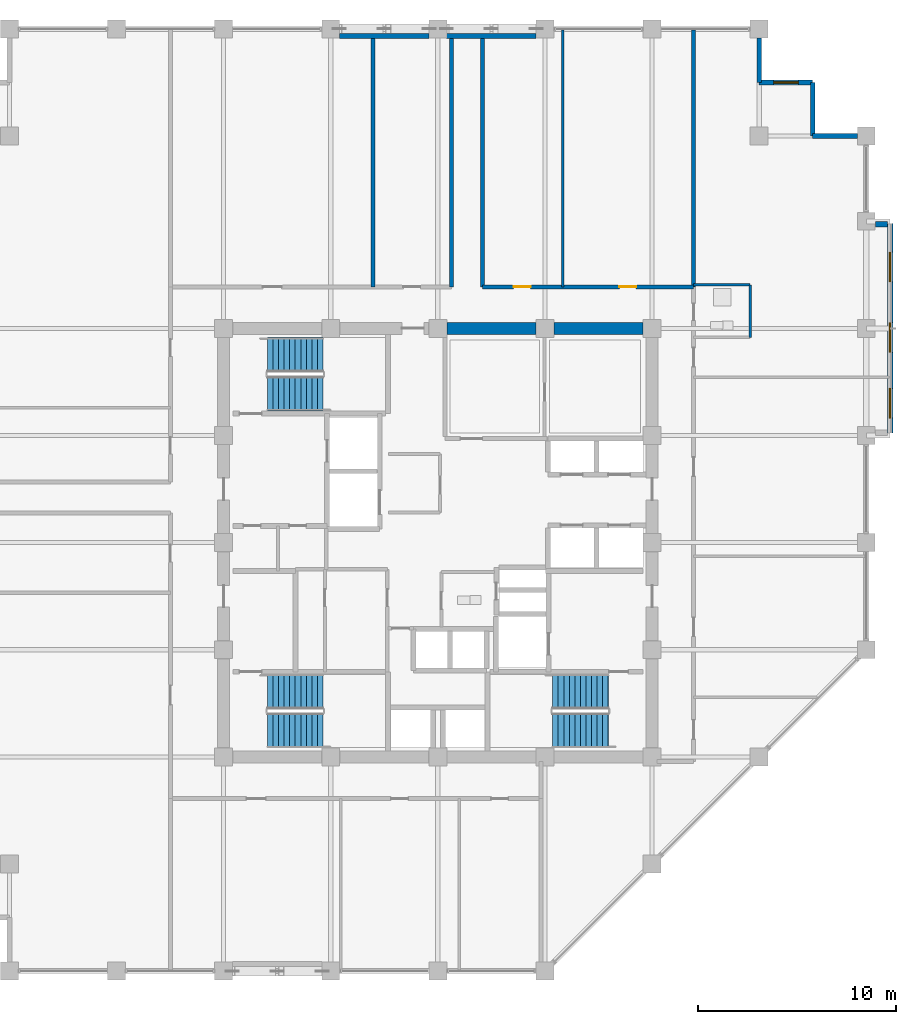
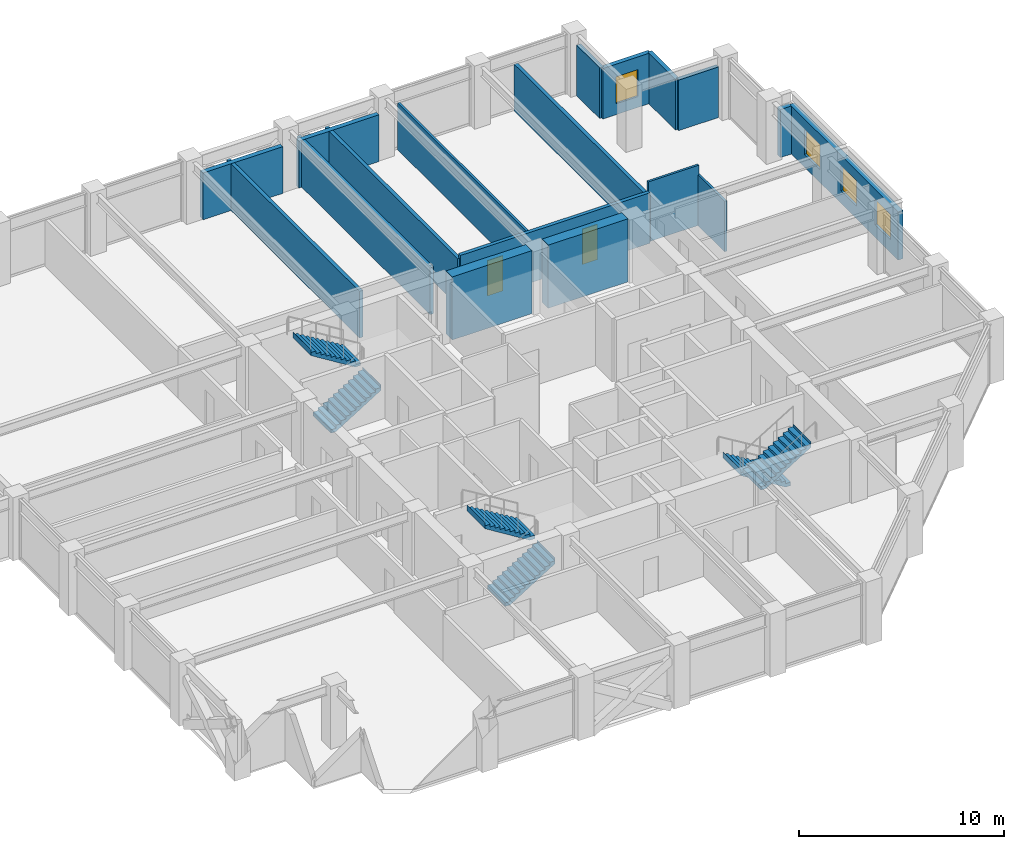
# One storey, part 29 of 32: 18 walls, 6 stair flights, 4 windows, 2 doors, 6 openings, 3 elements without a shape of their own.
"""IFC4 building model written with IfcOpenShell, lengths in metres."""

import ifcopenshell
import ifcopenshell.guid

model = None  # the IFC model being written
_history = None  # IfcOwnerHistory: only IFC2X3 demands one
_inside = {}  # id of a spatial element -> (the spatial element, [elements in it])
_under = {}  # id of a project, library or spatial element -> (it, [spatial elements below it])
_declared = {}  # id of a project -> (the project, [libraries it declares])
_typed = {}  # id of a type object -> (the type object, [elements of that type])
_made_of = {}  # id of a material, layer set ... -> (it, [elements and type objects made of it])


def new_model(schema):
    """Start an empty IFC model of exactly this schema.

    Asked for "IFC4X3", IfcOpenShell would pick the latest addendum, in which some entities
    have other attributes; the version numbers below select the first issue.
    IFC2X3 requires an IfcOwnerHistory on every rooted entity: one is made here for all.
    """
    global model, _history
    if schema == "IFC4X3":
        model = ifcopenshell.file(schema_version=(4, 3, 0, 0))
    else:
        model = ifcopenshell.file(schema=schema)
    _inside.clear()
    _under.clear()
    _declared.clear()
    _typed.clear()
    _made_of.clear()
    _history = None
    if model.schema == "IFC2X3":
        org = make("IfcOrganization", Name="unknown")
        user = make(
            "IfcPersonAndOrganization",
            ThePerson=make("IfcPerson", FamilyName="unknown"),
            TheOrganization=org,
        )
        app = make(
            "IfcApplication",
            ApplicationDeveloper=org,
            Version="unknown",
            ApplicationFullName="unknown",
            ApplicationIdentifier="unknown",
        )
        _history = make(
            "IfcOwnerHistory",
            OwningUser=user,
            OwningApplication=app,
            ChangeAction="ADDED",
            CreationDate=0,
        )
    return model


def make(cls, **values):
    """One entity of the class cls with the attributes given. An attribute that is None is left unset."""
    return model.create_entity(
        cls, **{name: value for name, value in values.items() if value is not None}
    )


def rooted(cls, **values):
    """An entity with a GlobalId (a new one), such as an element, a storey or a relation."""
    return make(cls, GlobalId=ifcopenshell.guid.new(), OwnerHistory=_history, **values)


def si_unit(unit_type, name, prefix=None):
    """IfcSIUnit, for example si_unit("LENGTHUNIT", "METRE", prefix="MILLI")."""
    return make("IfcSIUnit", UnitType=unit_type, Prefix=prefix, Name=name)


def assignment(units):
    """IfcUnitAssignment: the units of a project."""
    return None if units is None else make("IfcUnitAssignment", Units=units)


def point(xyz):
    """IfcCartesianPoint."""
    return None if xyz is None else make("IfcCartesianPoint", Coordinates=xyz)


def direction(xyz):
    """IfcDirection."""
    return None if xyz is None else make("IfcDirection", DirectionRatios=xyz)


def frame(location, z_axis=None, x_axis=None):
    """IfcAxis2Placement3D, a coordinate frame: its origin and axes. An axis left out is left unset."""
    return make(
        "IfcAxis2Placement3D",
        Location=point(location),
        Axis=direction(z_axis),
        RefDirection=direction(x_axis),
    )


def frame_2d(location, x_axis=None):
    """IfcAxis2Placement2D, a coordinate frame in the plane: its origin and x axis."""
    return make(
        "IfcAxis2Placement2D", Location=point(location), RefDirection=direction(x_axis)
    )


def origin():
    """The frame at (0, 0, 0) with its axes left unset."""
    return frame((0.0, 0.0, 0.0))


def place(relative_to, where):
    """IfcLocalPlacement: puts the frame where relative to a parent placement (None: the world)."""
    return make(
        "IfcLocalPlacement", PlacementRelTo=relative_to, RelativePlacement=where
    )


def context(
    kind, dimensions, precision=None, world=None, true_north=None, identifier=None
):
    """IfcGeometricRepresentationContext, for example the 3D "Model" context."""
    return make(
        "IfcGeometricRepresentationContext",
        ContextIdentifier=identifier,
        ContextType=kind,
        CoordinateSpaceDimension=dimensions,
        Precision=precision,
        WorldCoordinateSystem=world,
        TrueNorth=true_north,
    )


def subcontext(parent, identifier, kind, view, scale=None):
    """IfcGeometricRepresentationSubContext, for example "Body" below "Model"."""
    return make(
        "IfcGeometricRepresentationSubContext",
        ContextIdentifier=identifier,
        ContextType=kind,
        ParentContext=parent,
        TargetScale=scale,
        TargetView=view,
    )


def project(units=None, contexts=None):
    """IfcProject with its units and contexts."""
    return rooted(
        "IfcProject",
        Name="project",
        RepresentationContexts=contexts,
        UnitsInContext=assignment(units),
    )


def spatial(cls, under=None, at=None, **own):
    """A site, building, storey or space (cls), placed at a placement, below another one or the project."""
    s = rooted(cls, ObjectPlacement=at, **own)
    if under is not None:
        _under.setdefault(under.id(), (under, []))[1].append(s)
    return s


def polyline(points):
    """IfcPolyline through the points."""
    return make("IfcPolyline", Points=[point(p) for p in points])


def profile(cls, at=None, kind="AREA", **sizes):
    """A parametric profile (cls). Its sizes go by their IFC names, for example OverallWidth=200.0."""
    return make(cls, ProfileType=kind, Position=at, **sizes)


def rectangle(**sizes):
    """IfcRectangleProfileDef."""
    return profile("IfcRectangleProfileDef", **sizes)


def outline(outer, holes=None, kind="AREA"):
    """IfcArbitraryClosedProfileDef: a profile drawn as a closed curve; with holes, ...WithVoids."""
    if holes is None:
        return make("IfcArbitraryClosedProfileDef", ProfileType=kind, OuterCurve=outer)
    return make(
        "IfcArbitraryProfileDefWithVoids",
        ProfileType=kind,
        OuterCurve=outer,
        InnerCurves=holes,
    )


def extrude(swept, where, along, depth):
    """IfcExtrudedAreaSolid: the profile swept, set in the frame where, extruded along a direction by depth."""
    return make(
        "IfcExtrudedAreaSolid",
        SweptArea=swept,
        Position=where,
        ExtrudedDirection=direction(along),
        Depth=depth,
    )


def shape(context_of_items, identifier, shape_type, items):
    """IfcShapeRepresentation: the items that make up one representation, for example the "Body"."""
    return make(
        "IfcShapeRepresentation",
        ContextOfItems=context_of_items,
        RepresentationIdentifier=identifier,
        RepresentationType=shape_type,
        Items=items,
    )


def material(Name=None, Category=None):
    """IfcMaterial."""
    return make("IfcMaterial", Name=Name, Category=Category)


def layer(
    of_material, thickness, ventilated=None, Name=None, Category=None, Priority=None
):
    """IfcMaterialLayer: one layer of a wall or slab, of a material (None: an air gap)."""
    return make(
        "IfcMaterialLayer",
        Material=of_material,
        LayerThickness=thickness,
        IsVentilated=ventilated,
        Name=Name,
        Category=Category,
        Priority=Priority,
    )


def layer_set(layers, Name=None):
    """IfcMaterialLayerSet."""
    return make("IfcMaterialLayerSet", MaterialLayers=layers, LayerSetName=Name)


def made_of(thing, what):
    """Note that an element or type object is made of a material, layer set ...; save() writes the relation."""
    if what is not None:
        _made_of.setdefault(what.id(), (what, []))[1].append(thing)
    return thing


def type_object(cls, material=None, **own):
    """A type object (cls), such as IfcWallType, which elements share."""
    return made_of(rooted(cls, **own), material)


def element(
    cls,
    number,
    at=None,
    inside=None,
    cuts=None,
    type_object=None,
    material=None,
    context=None,
    identifier="Body",
    shape_type=None,
    held_by="IfcProductDefinitionShape",
    body=None,
    shapes=None,
    **own,
):
    """One element of the class cls, such as IfcWall. Its Tag is "e" and its number.

    at: its placement. inside: the storey or other place that contains it. cuts: it is an
    opening in that element (IfcRelVoidsElement). A single representation is given by context,
    identifier, shape_type and body (its items); several are given by shapes. held_by: the class
    of the entity that holds the representations. save() writes the other relations.
    """
    e = rooted(cls, Tag="e%d" % number, ObjectPlacement=at, **own)
    if body is not None:
        shapes = [shape(context, identifier, shape_type, body)]
    if shapes is not None:
        e.Representation = make(held_by, Representations=shapes)
    if inside is not None:
        _inside.setdefault(inside.id(), (inside, []))[1].append(e)
    if cuts is not None:
        rooted(
            "IfcRelVoidsElement", RelatingBuildingElement=cuts, RelatedOpeningElement=e
        )
    if type_object is not None:
        _typed.setdefault(type_object.id(), (type_object, []))[1].append(e)
    return made_of(e, material)


def fill(opening, filler):
    """IfcRelFillsElement: the door or window that sits in an opening."""
    return rooted(
        "IfcRelFillsElement",
        RelatingOpeningElement=opening,
        RelatedBuildingElement=filler,
    )


def aggregate(whole, parts):
    """IfcRelAggregates: a whole, such as a stair, and the parts it consists of."""
    return rooted("IfcRelAggregates", RelatingObject=whole, RelatedObjects=parts)


def save(model, path):
    """Write the relations noted so far, then the file.

    IfcRelAggregates (storeys below a building ...), IfcRelContainedInSpatialStructure (elements
    in a storey), IfcRelDefinesByType, IfcRelAssociatesMaterial and IfcRelDeclares: one each for
    every whole, place, type object, material and project.
    """
    for whole, parts in _under.values():
        aggregate(whole, parts)
    for where, things in _inside.values():
        rooted(
            "IfcRelContainedInSpatialStructure",
            RelatedElements=things,
            RelatingStructure=where,
        )
    for kind, things in _typed.values():
        rooted("IfcRelDefinesByType", RelatedObjects=things, RelatingType=kind)
    for what, things in _made_of.values():
        rooted("IfcRelAssociatesMaterial", RelatedObjects=things, RelatingMaterial=what)
    for by, libraries in _declared.values():
        rooted("IfcRelDeclares", RelatingContext=by, RelatedDefinitions=libraries)
    model.write(path)


model = new_model("IFC4")

# Units and contexts
model_context = context("Model", 3, precision=1e-05, world=origin(), true_north=direction((0.0, 1.0)))
body_context = subcontext(model_context, "Body", "Model", "MODEL_VIEW")
ifc_project = project(units=[si_unit("LENGTHUNIT", "METRE"), si_unit("AREAUNIT", "SQUARE_METRE"), si_unit("VOLUMEUNIT", "CUBIC_METRE"), si_unit("PLANEANGLEUNIT", "RADIAN"), si_unit("MASSUNIT", "GRAM", prefix="KILO")], contexts=[model_context])

# Site, building, storey
site_placement = place(None, origin())
site = spatial("IfcSite", under=ifc_project, at=site_placement, CompositionType="ELEMENT")
building_placement = place(site_placement, origin())
building = spatial("IfcBuilding", under=site, at=building_placement, Name="Surkhivell Harbour Commons", CompositionType="ELEMENT")
storey_placement = place(building_placement, frame((0.0, 0.0, 186.0)))
storey = spatial("IfcBuildingStorey", under=building, at=storey_placement, Name="L48", CompositionType="ELEMENT", Elevation=186.0)

# Walls
ifc_material_1 = material(Name="Concrete C60/75", Category="concrete")
ifc_layer_1 = layer(ifc_material_1, 0.60009765625)
ifc_layer_set_1 = layer_set([ifc_layer_1], Name="Concrete C60/75")
wall_type_1 = type_object("IfcWallType", Name="WAL-CORE-600", PredefinedType="SHEAR", material=ifc_layer_set_1)
for number, where, z_axis, x_axis, name in (
    (1, (0.4599609375, 10.800048828125, 0.0), (0.0, 0.0, 1.0), (1.0, 0.0, 0.0), "L48 Core Shear Wall North 3"),
    (2, (5.860107421875, 10.800048828125, 0.0), (0.0, 0.0, 1.0), (1.0, 0.0, 0.0), "L48 Core Shear Wall North 4"),
):
    element("IfcWall", number, at=place(storey_placement, frame(where, z_axis=z_axis, x_axis=x_axis)), inside=storey, type_object=wall_type_1, Name=name, PredefinedType="SHEAR", context=body_context, shape_type="SweptSolid", body=[
        extrude(rectangle(XDim=4.47998046875, YDim=0.60009765625, at=frame_2d((2.239990234375, 0.0))), origin(), (0.0, 0.0, 1.0), 3.75),
    ])
ifc_material_2 = material(Name="Pale-metal insulated precast concrete C45/55", Category="concrete")
ifc_layer_2 = layer(ifc_material_2, 0.260009765625)
ifc_layer_set_2 = layer_set([ifc_layer_2], Name="Pale-metal insulated precast concrete C45/55")
wall_type_2 = type_object("IfcWallType", Name="WAL-EXT-MTL260", PredefinedType="STANDARD", material=ifc_layer_set_2)
for number, where, z_axis, x_axis, name in (
    (3, (-0.447998046875, 25.5400390625, 0.0), (0.0, 0.0, 1.0), (-1.0, 0.0, 0.0), "L48 Braced-Bay Insulated Spandrel Backing N"),
    (4, (4.951904296875, 25.5400390625, 0.0), (0.0, 0.0, 1.0), (-1.0, 0.0, 0.0), "L48 Braced-Bay Insulated Spandrel Backing N2"),
):
    element("IfcWall", number, at=place(storey_placement, frame(where, z_axis=z_axis, x_axis=x_axis)), inside=storey, type_object=wall_type_2, Name=name, PredefinedType="STANDARD", context=body_context, shape_type="SweptSolid", body=[
        extrude(rectangle(XDim=4.50390625, YDim=0.260009765625, at=frame_2d((2.251953125, 0.0))), origin(), (0.0, 0.0, 1.0), 2.780029296875),
    ])
ifc_material_3 = material(Name="Bronze-ochre cassette precast concrete C45/55", Category="concrete")
ifc_layer_3 = layer(ifc_material_3, 0.239990234375)
ifc_layer_set_3 = layer_set([ifc_layer_3], Name="Bronze-ochre cassette precast concrete C45/55")
wall_type_3 = type_object("IfcWallType", Name="WAL-EXT-OCH240", PredefinedType="STANDARD", material=ifc_layer_set_3)
wall_1_placement = place(storey_placement, frame((21.152099609375, 20.5, 0.0), z_axis=(0.0, 0.0, 1.0), x_axis=(-1.0, 0.0, 0.0)))
element("IfcWall", 5, at=wall_1_placement, inside=storey, type_object=wall_type_3, Name="L48 Serrated Corner Facade Wall 03", PredefinedType="STANDARD", context=body_context, shape_type="SweptSolid", body=[
    extrude(rectangle(XDim=2.252197265625, YDim=0.239990234375, at=frame_2d((1.1259765625, 0.0))), origin(), (0.0, 0.0, 1.0), 3.006103515625),
])
wall_2_placement = place(storey_placement, frame((18.89990234375, 20.5, 0.0), z_axis=(0.0, 0.0, 1.0), x_axis=(0.0, 1.0, 0.0)))
element("IfcWall", 6, at=wall_2_placement, inside=storey, type_object=wall_type_3, Name="L48 Serrated Corner Facade Wall 04", PredefinedType="STANDARD", context=body_context, shape_type="SweptSolid", body=[
    extrude(rectangle(XDim=2.699951171875, YDim=0.239990234375, at=frame_2d((1.35009765625, 0.0))), origin(), (0.0, 0.0, 1.0), 3.006103515625),
])

# Wall, opening, window
wall_3_placement = place(storey_placement, frame((18.89990234375, 23.199951171875, 0.0), z_axis=(0.0, 0.0, 1.0), x_axis=(-1.0, 0.0, 0.0)))
wall_3 = element("IfcWall", 7, at=wall_3_placement, inside=storey, type_object=wall_type_3, Name="L48 Serrated Corner Facade Wall 05", PredefinedType="STANDARD", context=body_context, shape_type="SweptSolid", body=[
    extrude(rectangle(XDim=2.699951171875, YDim=0.239990234375, at=frame_2d((1.35009765625, 0.0))), origin(), (0.0, 0.0, 1.0), 3.006103515625),
])
opening_1_placement = place(wall_3_placement, frame((0.72509765625, 0.0, 0.64990234375)))
opening_1 = element("IfcOpeningElement", 8, at=opening_1_placement, cuts=wall_3, Name="Opening WN-09", PredefinedType="OPENING", context=body_context, shape_type="SweptSolid", body=[
    extrude(rectangle(XDim=1.25, YDim=1.60009765625, at=frame_2d((0.625, 0.800048828125))), frame((0.0, 0.1298828125, 0.0), z_axis=(0.0, -1.0, 0.0), x_axis=(1.0, 0.0, 0.0)), (0.0, 0.0, 1.0), 0.260009765625),
])
ifc_material_4 = material(Name="Thermal-break aluminium frame and double low-E glazing", Category="aluminium")
window_type_1 = type_object("IfcWindowType", Name="WIN-SER-1250x1600", PartitioningType="SINGLE_PANEL", PredefinedType="WINDOW", material=ifc_material_4)
window_1_placement = place(opening_1_placement, origin())
window_1 = element("IfcWindow", 9, at=window_1_placement, inside=storey, type_object=window_type_1, Name="L48 Serrated Alcove Window 05", OverallHeight=1.60009765625, OverallWidth=1.25, PartitioningType="SINGLE_PANEL", PredefinedType="WINDOW", context=body_context, shape_type="SweptSolid", body=[
    extrude(rectangle(XDim=1.25, YDim=1.60009765625, at=frame_2d((0.625, 0.800048828125))), frame((0.0, 0.030029296875, 0.0), z_axis=(0.0, -1.0, 0.0), x_axis=(1.0, 0.0, 0.0)), (0.0, 0.0, 1.0), 0.06005859375),
])
fill(opening_1, window_1)

# Wall
wall_4_placement = place(storey_placement, frame((16.199951171875, 23.199951171875, 0.0), z_axis=(0.0, 0.0, 1.0), x_axis=(0.0, 1.0, 0.0)))
element("IfcWall", 10, at=wall_4_placement, inside=storey, type_object=wall_type_3, Name="L48 Serrated Corner Facade Wall 06", PredefinedType="STANDARD", context=body_context, shape_type="SweptSolid", body=[
    extrude(rectangle(XDim=2.251953125, YDim=0.239990234375, at=frame_2d((1.1259765625, 0.0))), origin(), (0.0, 0.0, 1.0), 3.006103515625),
])

# Wall, openings, windows
ifc_material_5 = material(Name="Terracotta-clad reinforced concrete C45/55", Category="masonry")
ifc_layer_4 = layer(ifc_material_5, 0.280029296875)
ifc_layer_set_4 = layer_set([ifc_layer_4], Name="Terracotta-clad reinforced concrete C45/55")
wall_type_4 = type_object("IfcWallType", Name="WAL-EXT-TER280", PredefinedType="STANDARD", material=ifc_layer_set_4)
wall_5_placement = place(storey_placement, frame((22.800048828125, 5.52001953125, 0.0), z_axis=(0.0, 0.0, 1.0), x_axis=(0.0, 1.0, 0.0)))
wall_5 = element("IfcWall", 11, at=wall_5_placement, inside=storey, type_object=wall_type_4, Name="L48 Coloured Box Front Wall 01", PredefinedType="STANDARD", context=body_context, shape_type="SweptSolid", body=[
    extrude(rectangle(XDim=10.56005859375, YDim=0.280029296875, at=frame_2d((5.280029296875, 0.0))), origin(), (0.0, 0.0, 1.0), 2.85693359375),
])
opening_2_placement = place(wall_5_placement, frame((0.7548828125, 0.0, 0.75)))
opening_2 = element("IfcOpeningElement", 12, at=opening_2_placement, cuts=wall_5, Name="Opening WN-13", PredefinedType="OPENING", context=body_context, shape_type="SweptSolid", body=[
    extrude(rectangle(XDim=1.5, YDim=1.5, at=frame_2d((0.75, 0.75))), frame((0.0, 0.14990234375, 0.0), z_axis=(0.0, -1.0, 0.0), x_axis=(1.0, 0.0, 0.0)), (0.0, 0.0, 1.0), 0.300048828125),
])
opening_3_placement = place(wall_5_placement, frame((4.077392578125, 0.0, 0.75)))
opening_3 = element("IfcOpeningElement", 13, at=opening_3_placement, cuts=wall_5, Name="Opening WN-13", PredefinedType="OPENING", context=body_context, shape_type="SweptSolid", body=[
    extrude(rectangle(XDim=1.5, YDim=1.5, at=frame_2d((0.75, 0.75))), frame((0.0, 0.14990234375, 0.0), z_axis=(0.0, -1.0, 0.0), x_axis=(1.0, 0.0, 0.0)), (0.0, 0.0, 1.0), 0.300048828125),
])
opening_4_placement = place(wall_5_placement, frame((7.632568359375, 0.0, 0.75)))
opening_4 = element("IfcOpeningElement", 14, at=opening_4_placement, cuts=wall_5, Name="Opening WN-13", PredefinedType="OPENING", context=body_context, shape_type="SweptSolid", body=[
    extrude(rectangle(XDim=1.5, YDim=1.5, at=frame_2d((0.75, 0.75))), frame((0.0, 0.14990234375, 0.0), z_axis=(0.0, -1.0, 0.0), x_axis=(1.0, 0.0, 0.0)), (0.0, 0.0, 1.0), 0.300048828125),
])
window_type_2 = type_object("IfcWindowType", Name="WIN-BOX-1500x1500", PartitioningType="SINGLE_PANEL", PredefinedType="WINDOW", material=ifc_material_4)
window_2_placement = place(opening_2_placement, origin())
window_2 = element("IfcWindow", 15, at=window_2_placement, inside=storey, type_object=window_type_2, Name="L48 Coloured Box Square Window 01-1", OverallHeight=1.5, OverallWidth=1.5, PartitioningType="SINGLE_PANEL", PredefinedType="WINDOW", context=body_context, shape_type="SweptSolid", body=[
    extrude(rectangle(XDim=1.5, YDim=1.5, at=frame_2d((0.75, 0.75))), frame((0.0, 0.030029296875, 0.0), z_axis=(0.0, -1.0, 0.0), x_axis=(1.0, 0.0, 0.0)), (0.0, 0.0, 1.0), 0.06005859375),
])
fill(opening_2, window_2)
window_3_placement = place(opening_3_placement, origin())
window_3 = element("IfcWindow", 16, at=window_3_placement, inside=storey, type_object=window_type_2, Name="L48 Coloured Box Square Window 01-2", OverallHeight=1.5, OverallWidth=1.5, PartitioningType="SINGLE_PANEL", PredefinedType="WINDOW", context=body_context, shape_type="SweptSolid", body=[
    extrude(rectangle(XDim=1.5, YDim=1.5, at=frame_2d((0.75, 0.75))), frame((0.0, 0.030029296875, 0.0), z_axis=(0.0, -1.0, 0.0), x_axis=(1.0, 0.0, 0.0)), (0.0, 0.0, 1.0), 0.06005859375),
])
fill(opening_3, window_3)
window_4_placement = place(opening_4_placement, origin())
window_4 = element("IfcWindow", 17, at=window_4_placement, inside=storey, type_object=window_type_2, Name="L48 Coloured Box Square Window 01-3", OverallHeight=1.5, OverallWidth=1.5, PartitioningType="SINGLE_PANEL", PredefinedType="WINDOW", context=body_context, shape_type="SweptSolid", body=[
    extrude(rectangle(XDim=1.5, YDim=1.5, at=frame_2d((0.75, 0.75))), frame((0.0, 0.030029296875, 0.0), z_axis=(0.0, -1.0, 0.0), x_axis=(1.0, 0.0, 0.0)), (0.0, 0.0, 1.0), 0.06005859375),
])
fill(opening_4, window_4)

# Walls
wall_6_placement = place(storey_placement, frame((22.053955078125, 16.06005859375, 0.0), z_axis=(0.0, 0.0, 1.0), x_axis=(1.0, 0.0, 0.0)))
element("IfcWall", 18, at=wall_6_placement, inside=storey, type_object=wall_type_4, Name="L48 Coloured Box Return Wall 01N", PredefinedType="STANDARD", context=body_context, shape_type="SweptSolid", body=[
    extrude(rectangle(XDim=0.60595703125, YDim=0.280029296875, at=frame_2d((0.302978515625, 0.0))), origin(), (0.0, 0.0, 1.0), 2.85693359375),
])
ifc_material_6 = material(Name="Moisture-resistant acoustic stud partition", Category="other")
ifc_layer_5 = layer(ifc_material_6, 0.125)
ifc_layer_set_5 = layer_set([ifc_layer_5], Name="Moisture-resistant acoustic stud partition")
wall_type_5 = type_object("IfcWallType", Name="WAL-INT-125", PredefinedType="PARTITIONING", material=ifc_layer_set_5)
wall_7_placement = place(storey_placement, frame((15.75, 10.35009765625, 0.0), z_axis=(0.0, 0.0, 1.0), x_axis=(0.0, 1.0, 0.0)))
element("IfcWall", 19, at=wall_7_placement, inside=storey, type_object=wall_type_5, Name="L48 East Partition BTHB", PredefinedType="PARTITIONING", context=body_context, shape_type="SweptSolid", body=[
    extrude(rectangle(XDim=2.64990234375, YDim=0.125, at=frame_2d((1.324951171875, 0.0))), origin(), (0.0, 0.0, 1.0), 3.006103515625),
])
wall_8_placement = place(storey_placement, frame((12.89990234375, 13.0, 0.0), z_axis=(0.0, 0.0, 1.0), x_axis=(1.0, 0.0, 0.0)))
element("IfcWall", 20, at=wall_8_placement, inside=storey, type_object=wall_type_5, Name="L48 East Partition BTHN", PredefinedType="PARTITIONING", context=body_context, shape_type="SweptSolid", body=[
    extrude(rectangle(XDim=2.85009765625, YDim=0.125, at=frame_2d((1.425048828125, 0.0))), origin(), (0.0, 0.0, 1.0), 3.570068359375),
])
wall_9_placement = place(storey_placement, frame((6.300048828125, 12.89990234375, 0.0), z_axis=(0.0, 0.0, 1.0), x_axis=(0.0, 1.0, 0.0)))
element("IfcWall", 21, at=wall_9_placement, inside=storey, type_object=wall_type_5, Name="L48 North-East Partition P1", PredefinedType="PARTITIONING", context=body_context, shape_type="SweptSolid", body=[
    extrude(rectangle(XDim=12.940185546875, YDim=0.125, at=frame_2d((6.47021484375, 0.0))), origin(), (0.0, 0.0, 1.0), 2.780029296875),
])
ifc_material_7 = material(Name="Autoclaved aerated concrete blockwork and fire plaster", Category="masonry")
ifc_layer_6 = layer(ifc_material_7, 0.199951171875)
ifc_layer_set_6 = layer_set([ifc_layer_6], Name="Autoclaved aerated concrete blockwork and fire plaster")
wall_type_6 = type_object("IfcWallType", Name="WAL-INT-200", PredefinedType="PARTITIONING", material=ifc_layer_set_6)
wall_10_placement = place(storey_placement, frame((12.89990234375, 12.89990234375, 0.0), z_axis=(0.0, 0.0, 1.0), x_axis=(0.0, 1.0, 0.0)))
element("IfcWall", 22, at=wall_10_placement, inside=storey, type_object=wall_type_6, Name="L48 North-East Corner Wall", PredefinedType="PARTITIONING", context=body_context, shape_type="SweptSolid", body=[
    extrude(rectangle(XDim=12.940185546875, YDim=0.199951171875, at=frame_2d((6.47021484375, 0.0))), origin(), (0.0, 0.0, 1.0), 2.780029296875),
])

# Wall, openings, doors
wall_11_placement = place(storey_placement, frame((2.25, 12.89990234375, 0.0), z_axis=(0.0, 0.0, 1.0), x_axis=(1.0, 0.0, 0.0)))
wall_11 = element("IfcWall", 23, at=wall_11_placement, inside=storey, type_object=wall_type_6, Name="L48 Corridor North-East Wall", PredefinedType="PARTITIONING", context=body_context, shape_type="SweptSolid", body=[
    extrude(rectangle(XDim=10.64990234375, YDim=0.199951171875, at=frame_2d((5.324951171875, 0.0))), origin(), (0.0, 0.0, 1.0), 3.006103515625),
])
opening_5_placement = place(wall_11_placement, frame((1.574951171875, 0.0, 0.0)))
opening_5 = element("IfcOpeningElement", 24, at=opening_5_placement, cuts=wall_11, Name="Opening ID-6", PredefinedType="OPENING", context=body_context, shape_type="SweptSolid", body=[
    extrude(rectangle(XDim=0.85009765625, YDim=2.10009765625, at=frame_2d((0.425048828125, 1.050048828125))), frame((0.0, 0.10986328125, 0.0), z_axis=(0.0, -1.0, 0.0), x_axis=(1.0, 0.0, 0.0)), (0.0, 0.0, 1.0), 0.219970703125),
])
opening_6_placement = place(wall_11_placement, frame((6.89990234375, 0.0, 0.0)))
opening_6 = element("IfcOpeningElement", 25, at=opening_6_placement, cuts=wall_11, Name="Opening ID-6", PredefinedType="OPENING", context=body_context, shape_type="SweptSolid", body=[
    extrude(rectangle(XDim=0.85009765625, YDim=2.10009765625, at=frame_2d((0.425048828125, 1.050048828125))), frame((0.0, 0.10986328125, 0.0), z_axis=(0.0, -1.0, 0.0), x_axis=(1.0, 0.0, 0.0)), (0.0, 0.0, 1.0), 0.219970703125),
])
ifc_material_8 = material(Name="Hardwood-veneered fire-rated door leaf", Category="wood")
door_type = type_object("IfcDoorType", Name="DOR-FD30-850", OperationType="NOTDEFINED", PredefinedType="DOOR", material=ifc_material_8)
door_1_placement = place(opening_5_placement, origin())
door_1 = element("IfcDoor", 26, at=door_1_placement, inside=storey, type_object=door_type, Name="L48 Harbour Reading Library North-East Door", OperationType="SINGLE_SWING_LEFT", OverallHeight=2.10009765625, OverallWidth=0.85009765625, PredefinedType="DOOR", context=body_context, shape_type="SweptSolid", body=[
    extrude(rectangle(XDim=0.85009765625, YDim=2.10009765625, at=frame_2d((0.425048828125, 1.050048828125))), frame((0.0, 0.02490234375, 0.0), z_axis=(0.0, -1.0, 0.0), x_axis=(1.0, 0.0, 0.0)), (0.0, 0.0, 1.0), 0.050048828125),
])
fill(opening_5, door_1)
door_2_placement = place(opening_6_placement, origin())
door_2 = element("IfcDoor", 27, at=door_2_placement, inside=storey, type_object=door_type, Name="L48 Communal Dining Hall North-East Door", OperationType="SINGLE_SWING_RIGHT", OverallHeight=2.10009765625, OverallWidth=0.85009765625, PredefinedType="DOOR", context=body_context, shape_type="SweptSolid", body=[
    extrude(rectangle(XDim=0.85009765625, YDim=2.10009765625, at=frame_2d((0.425048828125, 1.050048828125))), frame((0.0, 0.02490234375, 0.0), z_axis=(0.0, -1.0, 0.0), x_axis=(1.0, 0.0, 0.0)), (0.0, 0.0, 1.0), 0.050048828125),
])
fill(opening_6, door_2)

# Walls
for number, where, z_axis, x_axis, name in (
    (28, (2.25, 12.89990234375, 0.0), (0.0, 0.0, 1.0), (0.0, 1.0, 0.0), "L48 North Spur East Wall"),
    (29, (0.699951171875, 12.89990234375, 0.0), (0.0, 0.0, 1.0), (0.0, 1.0, 0.0), "L48 North Spur West Wall"),
    (30, (-3.27001953125, 12.89990234375, 0.0), (0.0, 0.0, 1.0), (0.0, 1.0, 0.0), "L48 North-West Partition P1"),
):
    element("IfcWall", number, at=place(storey_placement, frame(where, z_axis=z_axis, x_axis=x_axis)), inside=storey, type_object=wall_type_6, Name=name, PredefinedType="PARTITIONING", context=body_context, shape_type="SweptSolid", body=[
        extrude(rectangle(XDim=12.940185546875, YDim=0.199951171875, at=frame_2d((6.47021484375, 0.0))), origin(), (0.0, 0.0, 1.0), 2.780029296875),
    ])

# Stair, stair flights
ifc_material_9 = material(Name="Precast concrete C45/55", Category="concrete")
stair_type = type_object("IfcStairType", Name="STR-DL-375", PredefinedType="HALF_TURN_STAIR", material=ifc_material_9)
stair_1_placement = place(storey_placement, origin())
stair_1 = element("IfcStair", 31, at=stair_1_placement, inside=storey, type_object=stair_type, Name="L48 Core Exit Stair ST1", PredefinedType="HALF_TURN_STAIR")
stair_flight_type = type_object("IfcStairFlightType", Name="STF-DL-375", PredefinedType="STRAIGHT", material=ifc_material_9)
stair_flight_1_placement = place(storey_placement, frame((-8.590087890625, 7.514892578125, 0.0), z_axis=(0.0, 0.0, 1.0), x_axis=(1.0, 0.0, 0.0)))
stair_flight_1 = element("IfcStairFlight", 32, at=stair_flight_1_placement, type_object=stair_flight_type, Name="ST1 flight 1", NumberOfRisers=11, NumberOfTreads=10, PredefinedType="STRAIGHT", RiserHeight=0.170454545, TreadLength=0.28, context=body_context, shape_type="SweptSolid", body=[
    extrude(outline(polyline([(-0.0029296875, -0.034912109375), (-0.0029296875, 0.0), (0.0, 0.0), (0.0, 0.17041015625), (0.280029296875, 0.17041015625), (0.280029296875, 0.3408203125), (0.56005859375, 0.3408203125), (0.56005859375, 0.511474609375), (0.840087890625, 0.511474609375), (0.840087890625, 0.681884765625), (1.1201171875, 0.681884765625), (1.1201171875, 0.852294921875), (1.39990234375, 0.852294921875), (1.39990234375, 1.022705078125), (1.679931640625, 1.022705078125), (1.679931640625, 1.193115234375), (1.9599609375, 1.193115234375), (1.9599609375, 1.363525390625), (2.239990234375, 1.363525390625), (2.239990234375, 1.5341796875), (2.52001953125, 1.5341796875), (2.52001953125, 1.70458984375), (2.800048828125, 1.70458984375), (2.800048828125, 1.875), (2.802978515625, 1.875), (2.802978515625, 1.529052734375), (0.288330078125, -0.034912109375), (-0.0029296875, -0.034912109375)])), frame((0.0, 0.875, 0.0), z_axis=(0.0, -1.0, 0.0), x_axis=(1.0, 0.0, 0.0)), (0.0, 0.0, 1.0), 1.75),
])
stair_flight_2_placement = place(storey_placement, frame((-5.7900390625, 9.465087890625, 1.875), z_axis=(0.0, 0.0, 1.0), x_axis=(-1.0, 0.0, 0.0)))
stair_flight_2 = element("IfcStairFlight", 33, at=stair_flight_2_placement, type_object=stair_flight_type, Name="ST1 flight 2", NumberOfRisers=11, NumberOfTreads=10, PredefinedType="STRAIGHT", RiserHeight=0.170454545, TreadLength=0.28, context=body_context, shape_type="SweptSolid", body=[
    extrude(outline(polyline([(-0.0029296875, -0.034912109375), (-0.0029296875, 0.0), (0.0, 0.0), (0.0, 0.17041015625), (0.280029296875, 0.17041015625), (0.280029296875, 0.3408203125), (0.56005859375, 0.3408203125), (0.56005859375, 0.511474609375), (0.840087890625, 0.511474609375), (0.840087890625, 0.681884765625), (1.1201171875, 0.681884765625), (1.1201171875, 0.852294921875), (1.39990234375, 0.852294921875), (1.39990234375, 1.022705078125), (1.679931640625, 1.022705078125), (1.679931640625, 1.193115234375), (1.9599609375, 1.193115234375), (1.9599609375, 1.363525390625), (2.239990234375, 1.363525390625), (2.239990234375, 1.5341796875), (2.52001953125, 1.5341796875), (2.52001953125, 1.70458984375), (2.800048828125, 1.70458984375), (2.800048828125, 1.875), (2.802978515625, 1.875), (2.802978515625, 1.529052734375), (0.288330078125, -0.034912109375), (-0.0029296875, -0.034912109375)])), frame((0.0, 0.875, 0.0), z_axis=(0.0, -1.0, 0.0), x_axis=(1.0, 0.0, 0.0)), (0.0, 0.0, 1.0), 1.75),
])
aggregate(stair_1, [stair_flight_1, stair_flight_2])

stair_2_placement = place(storey_placement, origin())
stair_2 = element("IfcStair", 34, at=stair_2_placement, inside=storey, type_object=stair_type, Name="L48 Core Exit Stair ST2", PredefinedType="HALF_TURN_STAIR")
stair_flight_3_placement = place(storey_placement, frame((8.590087890625, -7.514892578125, 0.0), z_axis=(0.0, 0.0, 1.0), x_axis=(-1.0, 0.0, 0.0)))
stair_flight_3 = element("IfcStairFlight", 35, at=stair_flight_3_placement, type_object=stair_flight_type, Name="ST2 flight 1", NumberOfRisers=11, NumberOfTreads=10, PredefinedType="STRAIGHT", RiserHeight=0.170454545, TreadLength=0.28, context=body_context, shape_type="SweptSolid", body=[
    extrude(outline(polyline([(-0.0029296875, -0.034912109375), (-0.0029296875, 0.0), (0.0, 0.0), (0.0, 0.17041015625), (0.280029296875, 0.17041015625), (0.280029296875, 0.3408203125), (0.56005859375, 0.3408203125), (0.56005859375, 0.511474609375), (0.840087890625, 0.511474609375), (0.840087890625, 0.681884765625), (1.1201171875, 0.681884765625), (1.1201171875, 0.852294921875), (1.39990234375, 0.852294921875), (1.39990234375, 1.022705078125), (1.679931640625, 1.022705078125), (1.679931640625, 1.193115234375), (1.9599609375, 1.193115234375), (1.9599609375, 1.363525390625), (2.239990234375, 1.363525390625), (2.239990234375, 1.5341796875), (2.52001953125, 1.5341796875), (2.52001953125, 1.70458984375), (2.800048828125, 1.70458984375), (2.800048828125, 1.875), (2.802978515625, 1.875), (2.802978515625, 1.529052734375), (0.288330078125, -0.034912109375), (-0.0029296875, -0.034912109375)])), frame((0.0, 0.875, 0.0), z_axis=(0.0, -1.0, 0.0), x_axis=(1.0, 0.0, 0.0)), (0.0, 0.0, 1.0), 1.75),
])
stair_flight_4_placement = place(storey_placement, frame((5.7900390625, -9.465087890625, 1.875), z_axis=(0.0, 0.0, 1.0), x_axis=(1.0, 0.0, 0.0)))
stair_flight_4 = element("IfcStairFlight", 36, at=stair_flight_4_placement, type_object=stair_flight_type, Name="ST2 flight 2", NumberOfRisers=11, NumberOfTreads=10, PredefinedType="STRAIGHT", RiserHeight=0.170454545, TreadLength=0.28, context=body_context, shape_type="SweptSolid", body=[
    extrude(outline(polyline([(-0.0029296875, -0.034912109375), (-0.0029296875, 0.0), (0.0, 0.0), (0.0, 0.17041015625), (0.280029296875, 0.17041015625), (0.280029296875, 0.3408203125), (0.56005859375, 0.3408203125), (0.56005859375, 0.511474609375), (0.840087890625, 0.511474609375), (0.840087890625, 0.681884765625), (1.1201171875, 0.681884765625), (1.1201171875, 0.852294921875), (1.39990234375, 0.852294921875), (1.39990234375, 1.022705078125), (1.679931640625, 1.022705078125), (1.679931640625, 1.193115234375), (1.9599609375, 1.193115234375), (1.9599609375, 1.363525390625), (2.239990234375, 1.363525390625), (2.239990234375, 1.5341796875), (2.52001953125, 1.5341796875), (2.52001953125, 1.70458984375), (2.800048828125, 1.70458984375), (2.800048828125, 1.875), (2.802978515625, 1.875), (2.802978515625, 1.529052734375), (0.288330078125, -0.034912109375), (-0.0029296875, -0.034912109375)])), frame((0.0, 0.875, 0.0), z_axis=(0.0, -1.0, 0.0), x_axis=(1.0, 0.0, 0.0)), (0.0, 0.0, 1.0), 1.75),
])
aggregate(stair_2, [stair_flight_3, stair_flight_4])

stair_3_placement = place(storey_placement, origin())
stair_3 = element("IfcStair", 37, at=stair_3_placement, inside=storey, type_object=stair_type, Name="L48 Core Exit Stair ST3", PredefinedType="HALF_TURN_STAIR")
stair_flight_5_placement = place(storey_placement, frame((-8.590087890625, -9.465087890625, 0.0), z_axis=(0.0, 0.0, 1.0), x_axis=(1.0, 0.0, 0.0)))
stair_flight_5 = element("IfcStairFlight", 38, at=stair_flight_5_placement, type_object=stair_flight_type, Name="ST3 flight 1", NumberOfRisers=11, NumberOfTreads=10, PredefinedType="STRAIGHT", RiserHeight=0.170454545, TreadLength=0.28, context=body_context, shape_type="SweptSolid", body=[
    extrude(outline(polyline([(-0.0029296875, -0.034912109375), (-0.0029296875, 0.0), (0.0, 0.0), (0.0, 0.17041015625), (0.280029296875, 0.17041015625), (0.280029296875, 0.3408203125), (0.56005859375, 0.3408203125), (0.56005859375, 0.511474609375), (0.840087890625, 0.511474609375), (0.840087890625, 0.681884765625), (1.1201171875, 0.681884765625), (1.1201171875, 0.852294921875), (1.39990234375, 0.852294921875), (1.39990234375, 1.022705078125), (1.679931640625, 1.022705078125), (1.679931640625, 1.193115234375), (1.9599609375, 1.193115234375), (1.9599609375, 1.363525390625), (2.239990234375, 1.363525390625), (2.239990234375, 1.5341796875), (2.52001953125, 1.5341796875), (2.52001953125, 1.70458984375), (2.800048828125, 1.70458984375), (2.800048828125, 1.875), (2.802978515625, 1.875), (2.802978515625, 1.529052734375), (0.288330078125, -0.034912109375), (-0.0029296875, -0.034912109375)])), frame((0.0, 0.875, 0.0), z_axis=(0.0, -1.0, 0.0), x_axis=(1.0, 0.0, 0.0)), (0.0, 0.0, 1.0), 1.75),
])
stair_flight_6_placement = place(storey_placement, frame((-5.7900390625, -7.514892578125, 1.875), z_axis=(0.0, 0.0, 1.0), x_axis=(-1.0, 0.0, 0.0)))
stair_flight_6 = element("IfcStairFlight", 39, at=stair_flight_6_placement, type_object=stair_flight_type, Name="ST3 flight 2", NumberOfRisers=11, NumberOfTreads=10, PredefinedType="STRAIGHT", RiserHeight=0.170454545, TreadLength=0.28, context=body_context, shape_type="SweptSolid", body=[
    extrude(outline(polyline([(-0.0029296875, -0.034912109375), (-0.0029296875, 0.0), (0.0, 0.0), (0.0, 0.17041015625), (0.280029296875, 0.17041015625), (0.280029296875, 0.3408203125), (0.56005859375, 0.3408203125), (0.56005859375, 0.511474609375), (0.840087890625, 0.511474609375), (0.840087890625, 0.681884765625), (1.1201171875, 0.681884765625), (1.1201171875, 0.852294921875), (1.39990234375, 0.852294921875), (1.39990234375, 1.022705078125), (1.679931640625, 1.022705078125), (1.679931640625, 1.193115234375), (1.9599609375, 1.193115234375), (1.9599609375, 1.363525390625), (2.239990234375, 1.363525390625), (2.239990234375, 1.5341796875), (2.52001953125, 1.5341796875), (2.52001953125, 1.70458984375), (2.800048828125, 1.70458984375), (2.800048828125, 1.875), (2.802978515625, 1.875), (2.802978515625, 1.529052734375), (0.288330078125, -0.034912109375), (-0.0029296875, -0.034912109375)])), frame((0.0, 0.875, 0.0), z_axis=(0.0, -1.0, 0.0), x_axis=(1.0, 0.0, 0.0)), (0.0, 0.0, 1.0), 1.75),
])
aggregate(stair_3, [stair_flight_5, stair_flight_6])

save(model, "model.ifc")
